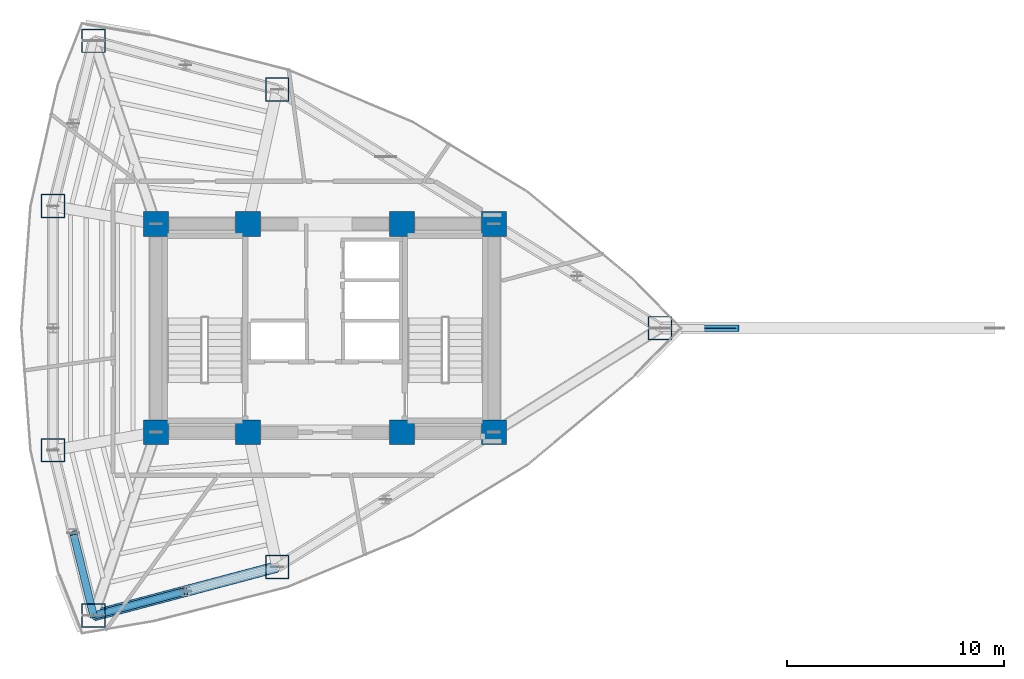
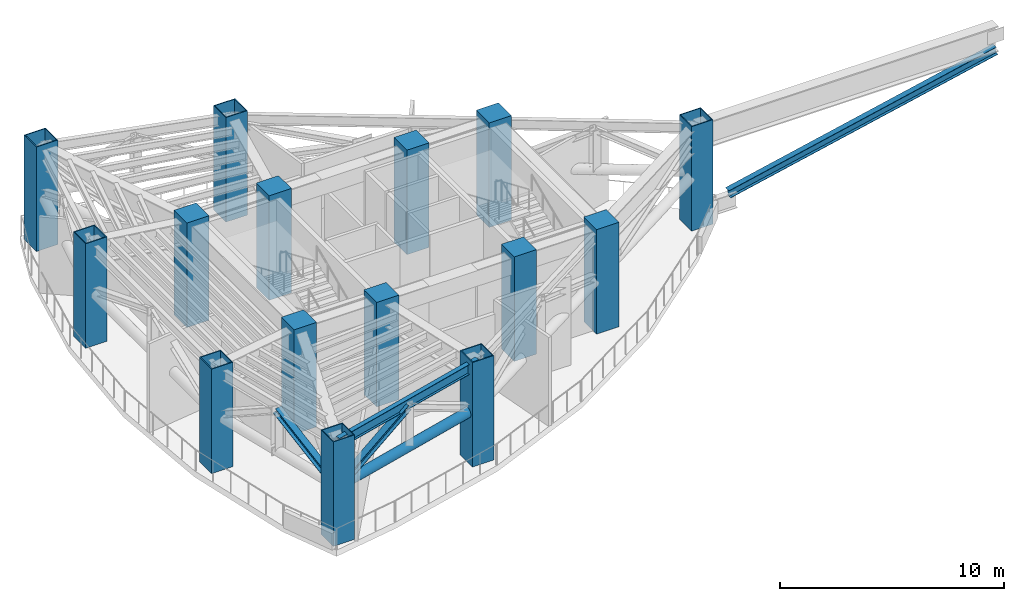
# One storey, part 1 of 8: 16 columns, 3 members, 1 beam.
"""IFC4 building model written with IfcOpenShell, lengths in metres."""

import ifcopenshell
import ifcopenshell.guid

model = None  # the IFC model being written
_history = None  # IfcOwnerHistory: only IFC2X3 demands one
_inside = {}  # id of a spatial element -> (the spatial element, [elements in it])
_under = {}  # id of a project, library or spatial element -> (it, [spatial elements below it])
_declared = {}  # id of a project -> (the project, [libraries it declares])
_typed = {}  # id of a type object -> (the type object, [elements of that type])
_made_of = {}  # id of a material, layer set ... -> (it, [elements and type objects made of it])


def new_model(schema):
    """Start an empty IFC model of exactly this schema.

    Asked for "IFC4X3", IfcOpenShell would pick the latest addendum, in which some entities
    have other attributes; the version numbers below select the first issue.
    IFC2X3 requires an IfcOwnerHistory on every rooted entity: one is made here for all.
    """
    global model, _history
    if schema == "IFC4X3":
        model = ifcopenshell.file(schema_version=(4, 3, 0, 0))
    else:
        model = ifcopenshell.file(schema=schema)
    _inside.clear()
    _under.clear()
    _declared.clear()
    _typed.clear()
    _made_of.clear()
    _history = None
    if model.schema == "IFC2X3":
        org = make("IfcOrganization", Name="unknown")
        user = make(
            "IfcPersonAndOrganization",
            ThePerson=make("IfcPerson", FamilyName="unknown"),
            TheOrganization=org,
        )
        app = make(
            "IfcApplication",
            ApplicationDeveloper=org,
            Version="unknown",
            ApplicationFullName="unknown",
            ApplicationIdentifier="unknown",
        )
        _history = make(
            "IfcOwnerHistory",
            OwningUser=user,
            OwningApplication=app,
            ChangeAction="ADDED",
            CreationDate=0,
        )
    return model


def make(cls, **values):
    """One entity of the class cls with the attributes given. An attribute that is None is left unset."""
    return model.create_entity(
        cls, **{name: value for name, value in values.items() if value is not None}
    )


def rooted(cls, **values):
    """An entity with a GlobalId (a new one), such as an element, a storey or a relation."""
    return make(cls, GlobalId=ifcopenshell.guid.new(), OwnerHistory=_history, **values)


def si_unit(unit_type, name, prefix=None):
    """IfcSIUnit, for example si_unit("LENGTHUNIT", "METRE", prefix="MILLI")."""
    return make("IfcSIUnit", UnitType=unit_type, Prefix=prefix, Name=name)


def assignment(units):
    """IfcUnitAssignment: the units of a project."""
    return None if units is None else make("IfcUnitAssignment", Units=units)


def point(xyz):
    """IfcCartesianPoint."""
    return None if xyz is None else make("IfcCartesianPoint", Coordinates=xyz)


def direction(xyz):
    """IfcDirection."""
    return None if xyz is None else make("IfcDirection", DirectionRatios=xyz)


def frame(location, z_axis=None, x_axis=None):
    """IfcAxis2Placement3D, a coordinate frame: its origin and axes. An axis left out is left unset."""
    return make(
        "IfcAxis2Placement3D",
        Location=point(location),
        Axis=direction(z_axis),
        RefDirection=direction(x_axis),
    )


def frame_2d(location, x_axis=None):
    """IfcAxis2Placement2D, a coordinate frame in the plane: its origin and x axis."""
    return make(
        "IfcAxis2Placement2D", Location=point(location), RefDirection=direction(x_axis)
    )


def origin():
    """The frame at (0, 0, 0) with its axes left unset."""
    return frame((0.0, 0.0, 0.0))


def origin_2d():
    """The frame at (0, 0) in the plane with its x axis left unset."""
    return frame_2d((0.0, 0.0))


def place(relative_to, where):
    """IfcLocalPlacement: puts the frame where relative to a parent placement (None: the world)."""
    return make(
        "IfcLocalPlacement", PlacementRelTo=relative_to, RelativePlacement=where
    )


def context(
    kind, dimensions, precision=None, world=None, true_north=None, identifier=None
):
    """IfcGeometricRepresentationContext, for example the 3D "Model" context."""
    return make(
        "IfcGeometricRepresentationContext",
        ContextIdentifier=identifier,
        ContextType=kind,
        CoordinateSpaceDimension=dimensions,
        Precision=precision,
        WorldCoordinateSystem=world,
        TrueNorth=true_north,
    )


def subcontext(parent, identifier, kind, view, scale=None):
    """IfcGeometricRepresentationSubContext, for example "Body" below "Model"."""
    return make(
        "IfcGeometricRepresentationSubContext",
        ContextIdentifier=identifier,
        ContextType=kind,
        ParentContext=parent,
        TargetScale=scale,
        TargetView=view,
    )


def project(units=None, contexts=None):
    """IfcProject with its units and contexts."""
    return rooted(
        "IfcProject",
        Name="project",
        RepresentationContexts=contexts,
        UnitsInContext=assignment(units),
    )


def spatial(cls, under=None, at=None, **own):
    """A site, building, storey or space (cls), placed at a placement, below another one or the project."""
    s = rooted(cls, ObjectPlacement=at, **own)
    if under is not None:
        _under.setdefault(under.id(), (under, []))[1].append(s)
    return s


def profile(cls, at=None, kind="AREA", **sizes):
    """A parametric profile (cls). Its sizes go by their IFC names, for example OverallWidth=200.0."""
    return make(cls, ProfileType=kind, Position=at, **sizes)


def rectangle(**sizes):
    """IfcRectangleProfileDef."""
    return profile("IfcRectangleProfileDef", **sizes)


def hollow_rectangle(**sizes):
    """IfcRectangleHollowProfileDef."""
    return profile("IfcRectangleHollowProfileDef", **sizes)


def hollow_circle(**sizes):
    """IfcCircleHollowProfileDef."""
    return profile("IfcCircleHollowProfileDef", **sizes)


def i_section(**sizes):
    """IfcIShapeProfileDef."""
    return profile("IfcIShapeProfileDef", **sizes)


def extrude(swept, where, along, depth):
    """IfcExtrudedAreaSolid: the profile swept, set in the frame where, extruded along a direction by depth."""
    return make(
        "IfcExtrudedAreaSolid",
        SweptArea=swept,
        Position=where,
        ExtrudedDirection=direction(along),
        Depth=depth,
    )


def shape(context_of_items, identifier, shape_type, items):
    """IfcShapeRepresentation: the items that make up one representation, for example the "Body"."""
    return make(
        "IfcShapeRepresentation",
        ContextOfItems=context_of_items,
        RepresentationIdentifier=identifier,
        RepresentationType=shape_type,
        Items=items,
    )


def material(Name=None, Category=None):
    """IfcMaterial."""
    return make("IfcMaterial", Name=Name, Category=Category)


def material_profile(
    of_material, cross_section, Name=None, Category=None, Priority=None
):
    """IfcMaterialProfile: a cross section and its material."""
    return make(
        "IfcMaterialProfile",
        Name=Name,
        Material=of_material,
        Profile=cross_section,
        Priority=Priority,
        Category=Category,
    )


def profile_set(profiles, Name=None, composite=None):
    """IfcMaterialProfileSet."""
    return make(
        "IfcMaterialProfileSet",
        Name=Name,
        MaterialProfiles=profiles,
        CompositeProfile=composite,
    )


def made_of(thing, what):
    """Note that an element or type object is made of a material, layer set ...; save() writes the relation."""
    if what is not None:
        _made_of.setdefault(what.id(), (what, []))[1].append(thing)
    return thing


def type_object(cls, material=None, **own):
    """A type object (cls), such as IfcWallType, which elements share."""
    return made_of(rooted(cls, **own), material)


def element(
    cls,
    number,
    at=None,
    inside=None,
    cuts=None,
    type_object=None,
    material=None,
    context=None,
    identifier="Body",
    shape_type=None,
    held_by="IfcProductDefinitionShape",
    body=None,
    shapes=None,
    **own,
):
    """One element of the class cls, such as IfcWall. Its Tag is "e" and its number.

    at: its placement. inside: the storey or other place that contains it. cuts: it is an
    opening in that element (IfcRelVoidsElement). A single representation is given by context,
    identifier, shape_type and body (its items); several are given by shapes. held_by: the class
    of the entity that holds the representations. save() writes the other relations.
    """
    e = rooted(cls, Tag="e%d" % number, ObjectPlacement=at, **own)
    if body is not None:
        shapes = [shape(context, identifier, shape_type, body)]
    if shapes is not None:
        e.Representation = make(held_by, Representations=shapes)
    if inside is not None:
        _inside.setdefault(inside.id(), (inside, []))[1].append(e)
    if cuts is not None:
        rooted(
            "IfcRelVoidsElement", RelatingBuildingElement=cuts, RelatedOpeningElement=e
        )
    if type_object is not None:
        _typed.setdefault(type_object.id(), (type_object, []))[1].append(e)
    return made_of(e, material)


def aggregate(whole, parts):
    """IfcRelAggregates: a whole, such as a stair, and the parts it consists of."""
    return rooted("IfcRelAggregates", RelatingObject=whole, RelatedObjects=parts)


def save(model, path):
    """Write the relations noted so far, then the file.

    IfcRelAggregates (storeys below a building ...), IfcRelContainedInSpatialStructure (elements
    in a storey), IfcRelDefinesByType, IfcRelAssociatesMaterial and IfcRelDeclares: one each for
    every whole, place, type object, material and project.
    """
    for whole, parts in _under.values():
        aggregate(whole, parts)
    for where, things in _inside.values():
        rooted(
            "IfcRelContainedInSpatialStructure",
            RelatedElements=things,
            RelatingStructure=where,
        )
    for kind, things in _typed.values():
        rooted("IfcRelDefinesByType", RelatedObjects=things, RelatingType=kind)
    for what, things in _made_of.values():
        rooted("IfcRelAssociatesMaterial", RelatedObjects=things, RelatingMaterial=what)
    for by, libraries in _declared.values():
        rooted("IfcRelDeclares", RelatingContext=by, RelatedDefinitions=libraries)
    model.write(path)


model = new_model("IFC4")

# Units and contexts
model_context = context("Model", 3, precision=1e-05, world=origin(), true_north=direction((0.0, 1.0)))
body_context = subcontext(model_context, "Body", "Model", "MODEL_VIEW")
ifc_project = project(units=[si_unit("LENGTHUNIT", "METRE"), si_unit("AREAUNIT", "SQUARE_METRE"), si_unit("VOLUMEUNIT", "CUBIC_METRE"), si_unit("PLANEANGLEUNIT", "RADIAN"), si_unit("MASSUNIT", "GRAM", prefix="KILO")], contexts=[model_context])

# Site, building, storey
site_placement = place(None, origin())
site = spatial("IfcSite", under=ifc_project, at=site_placement, CompositionType="ELEMENT")
building_placement = place(site_placement, origin())
building = spatial("IfcBuilding", under=site, at=building_placement, Name="Menara Vayukalpa", CompositionType="ELEMENT")
storey_placement = place(building_placement, frame((0.0, 0.0, 148.6201171875)))
storey = spatial("IfcBuildingStorey", under=building, at=storey_placement, Name="L37", CompositionType="ELEMENT", Elevation=148.6201171875)

# Columns
ifc_material_1 = material(Name="Concrete C80/95", Category="concrete")
ifc_material_profile_1 = material_profile(ifc_material_1, rectangle(XDim=1.14990234375, YDim=1.14990234375, at=origin_2d()), Name="RC 1150x1150")
ifc_profile_set_1 = profile_set([ifc_material_profile_1], Name="Concrete C80/95")
column_type_1 = type_object("IfcColumnType", Name="COL-CC1", PredefinedType="COLUMN", material=ifc_profile_set_1)
for number, where, z_axis, x_axis, name in (
    (1, (17.800048828125, 17.199951171875, 0.0), (0.0, 0.0, 1.0), (1.0, 0.0, 0.0), "L37 Core Pilaster Column CC1"),
    (2, (22.050048828125, 17.199951171875, 0.0), (0.0, 0.0, 1.0), (1.0, 0.0, 0.0), "L37 Core Pilaster Column CC2"),
    (3, (29.14990234375, 17.199951171875, 0.0), (0.0, 0.0, 1.0), (1.0, 0.0, 0.0), "L37 Core Pilaster Column CC3"),
    (4, (33.39990234375, 17.199951171875, 0.0), (0.0, 0.0, 1.0), (1.0, 0.0, 0.0), "L37 Core Pilaster Column CC4"),
    (5, (17.800048828125, 26.800048828125, 0.0), (0.0, 0.0, 1.0), (1.0, 0.0, 0.0), "L37 Core Pilaster Column CC5"),
    (6, (22.050048828125, 26.800048828125, 0.0), (0.0, 0.0, 1.0), (1.0, 0.0, 0.0), "L37 Core Pilaster Column CC6"),
    (7, (29.14990234375, 26.800048828125, 0.0), (0.0, 0.0, 1.0), (1.0, 0.0, 0.0), "L37 Core Pilaster Column CC7"),
    (8, (33.39990234375, 26.800048828125, 0.0), (0.0, 0.0, 1.0), (1.0, 0.0, 0.0), "L37 Core Pilaster Column CC8"),
):
    element("IfcColumn", number, at=place(storey_placement, frame(where, z_axis=z_axis, x_axis=x_axis)), inside=storey, type_object=column_type_1, Name=name, PredefinedType="COLUMN", context=body_context, shape_type="SweptSolid", body=[
        extrude(rectangle(XDim=1.14990234375, YDim=1.14990234375, at=origin_2d()), origin(), (0.0, 0.0, 1.0), 5.699951171875),
    ])
ifc_material_2 = material(Name="Steel S460", Category="steel")
ifc_material_profile_2 = material_profile(ifc_material_2, hollow_rectangle(XDim=1.10009765625, YDim=1.10009765625, WallThickness=0.044921875, at=origin_2d()), Name="BOX 1100x1100x45")
ifc_profile_set_2 = profile_set([ifc_material_profile_2], Name="Steel S460")
column_type_2 = type_object("IfcColumnType", Name="COL-MC3", PredefinedType="COLUMN", material=ifc_profile_set_2)
for number, where, z_axis, x_axis, name in (
    (9, (41.05908203125, 22.0, 0.0), (0.0, 0.0, 1.0), (1.0, 0.0, 0.0), "L37 Perimeter Mega Column P01"),
    (10, (23.39697265625, 33.011962890625, 0.0), (0.0, 0.0, 1.0), (1.0, 0.0, 0.0), "L37 Perimeter Mega Column P03"),
    (11, (14.92041015625, 35.260498046875, 0.0), (0.0, 0.0, 1.0), (1.0, 0.0, 0.0), "L37 Perimeter Mega Column P04"),
    (12, (13.049072265625, 27.6318359375, 0.0), (0.0, 0.0, 1.0), (1.0, 0.0, 0.0), "L37 Perimeter Mega Column P05"),
    (13, (13.049072265625, 16.3681640625, 0.0), (0.0, 0.0, 1.0), (1.0, 0.0, 0.0), "L37 Perimeter Mega Column P06"),
    (14, (14.92041015625, 8.739501953125, 0.0), (0.0, 0.0, 1.0), (1.0, 0.0, 0.0), "L37 Perimeter Mega Column P07"),
    (15, (23.39697265625, 10.988037109375, 0.0), (0.0, 0.0, 1.0), (1.0, 0.0, 0.0), "L37 Perimeter Mega Column P08"),
):
    element("IfcColumn", number, at=place(storey_placement, frame(where, z_axis=z_axis, x_axis=x_axis)), inside=storey, type_object=column_type_2, Name=name, PredefinedType="COLUMN", context=body_context, shape_type="SweptSolid", body=[
        extrude(hollow_rectangle(XDim=1.10009765625, YDim=1.10009765625, WallThickness=0.044921875, at=origin_2d()), origin(), (0.0, 0.0, 1.0), 5.699951171875),
    ])
ifc_material_3 = material(Name="Steel S355", Category="steel")
ifc_material_profile_3 = material_profile(ifc_material_3, i_section(OverallWidth=0.300048828125, OverallDepth=0.43994140625, WebThickness=0.010986328125, FlangeThickness=0.01806640625, at=origin_2d()), Name="H 440x300x11x18")
ifc_profile_set_3 = profile_set([ifc_material_profile_3], Name="Steel S355")
column_type_3 = type_object("IfcColumnType", Name="COL-SC2E", PredefinedType="COLUMN", material=ifc_profile_set_3)
column_placement = place(storey_placement, frame((42.708984375, 22.0, 0.989990234375), z_axis=(0.97700639618, 0.0, 0.213209994663), x_axis=(0.0, 1.0, 0.0)))
element("IfcColumn", 16, at=column_placement, inside=storey, type_object=column_type_3, Name="L37 SB3 Exterior Inclined Mega Strut 01", PredefinedType="COLUMN", context=body_context, shape_type="SweptSolid", body=[
    extrude(i_section(OverallWidth=0.300048828125, OverallDepth=0.43994140625, WebThickness=0.010986328125, FlangeThickness=0.01806640625, at=origin_2d()), origin(), (0.0, 0.0, 1.0), 14.11767578125),
])

# Beam
ifc_material_4 = material(Name="Steel S355", Category="steel")
ifc_material_profile_4 = material_profile(ifc_material_4, i_section(OverallWidth=0.239990234375, OverallDepth=0.550048828125, WebThickness=0.010986328125, FlangeThickness=0.01904296875, at=origin_2d()), Name="WF 550x240x11x19")
ifc_profile_set_4 = profile_set([ifc_material_profile_4], Name="Steel S355")
beam_type = type_object("IfcBeamType", Name="BM-SP2", PredefinedType="SPANDREL", material=ifc_profile_set_4)
beam_placement = place(storey_placement, frame((14.92041015625, 8.739501953125, 5.144775390625), z_axis=(0.96657141455, 0.256397544009, 0.0), x_axis=(-0.256397544009, 0.96657141455, 0.0)))
element("IfcBeam", 17, at=beam_placement, inside=storey, type_object=beam_type, Name="L37 Perimeter Spandrel Beam SP07", PredefinedType="SPANDREL", context=body_context, shape_type="SweptSolid", body=[
    extrude(i_section(OverallWidth=0.239990234375, OverallDepth=0.550048828125, WebThickness=0.010986328125, FlangeThickness=0.01904296875, at=origin_2d()), origin(), (0.0, 0.0, 1.0), 8.769775390625),
])

# Members
ifc_material_5 = material(Name="Steel S355", Category="steel")
ifc_material_profile_5 = material_profile(ifc_material_5, i_section(OverallWidth=0.35009765625, OverallDepth=0.35009765625, WebThickness=0.011962890625, FlangeThickness=0.01904296875, at=origin_2d()), Name="H 350x350x12x19")
ifc_profile_set_5 = profile_set([ifc_material_profile_5], Name="Steel S355")
member_type_1 = type_object("IfcMemberType", Name="MEM-BT1", PredefinedType="BRACE", material=ifc_profile_set_5)
member_1_placement = place(storey_placement, frame((14.92041015625, 8.739501953125, 2.75), z_axis=(-0.20736967609, 0.845496821303, 0.492070058635), x_axis=(-0.971215185657, -0.238203826897, 0.0)))
element("IfcMember", 18, at=member_1_placement, inside=storey, type_object=member_type_1, Name="L37 Belt Truss Diagonal B06", PredefinedType="BRACE", context=body_context, shape_type="SweptSolid", body=[
    extrude(i_section(OverallWidth=0.35009765625, OverallDepth=0.35009765625, WebThickness=0.011962890625, FlangeThickness=0.01904296875, at=origin_2d()), origin(), (0.0, 0.0, 1.0), 4.511474609375),
])
member_2_placement = place(storey_placement, frame((14.92041015625, 8.739501953125, 2.75), z_axis=(0.862350412859, 0.228751362397, 0.451690800929), x_axis=(-0.256397544009, 0.96657141455, 0.0)))
element("IfcMember", 19, at=member_2_placement, inside=storey, type_object=member_type_1, Name="L37 Belt Truss Diagonal A07", PredefinedType="BRACE", context=body_context, shape_type="SweptSolid", body=[
    extrude(i_section(OverallWidth=0.35009765625, OverallDepth=0.35009765625, WebThickness=0.011962890625, FlangeThickness=0.01904296875, at=origin_2d()), origin(), (0.0, 0.0, 1.0), 4.914794921875),
])
ifc_material_6 = material(Name="Steel S460", Category="steel")
ifc_material_profile_6 = material_profile(ifc_material_6, hollow_circle(Radius=0.25390625, WallThickness=0.02490234375, at=origin_2d()), Name="CHS 508.0x25")
ifc_profile_set_6 = profile_set([ifc_material_profile_6], Name="Steel S460")
member_type_2 = type_object("IfcMemberType", Name="MEM-CH1", PredefinedType="CHORD", material=ifc_profile_set_6)
member_3_placement = place(storey_placement, frame((14.92041015625, 8.739501953125, 2.75), z_axis=(0.96657141455, 0.256397544009, 0.0), x_axis=(-0.256397544009, 0.96657141455, 0.0)))
element("IfcMember", 20, at=member_3_placement, inside=storey, type_object=member_type_2, Name="L37 Belt Truss Bottom Chord 07", PredefinedType="CHORD", context=body_context, shape_type="SweptSolid", body=[
    extrude(hollow_circle(Radius=0.25390625, WallThickness=0.02490234375, at=origin_2d()), origin(), (0.0, 0.0, 1.0), 8.769775390625),
])

save(model, "model.ifc")
